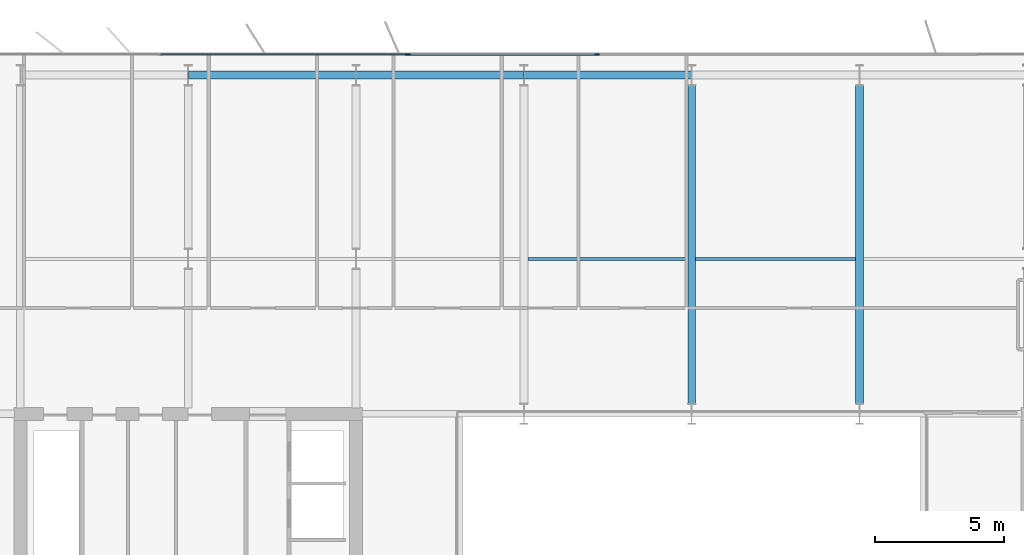
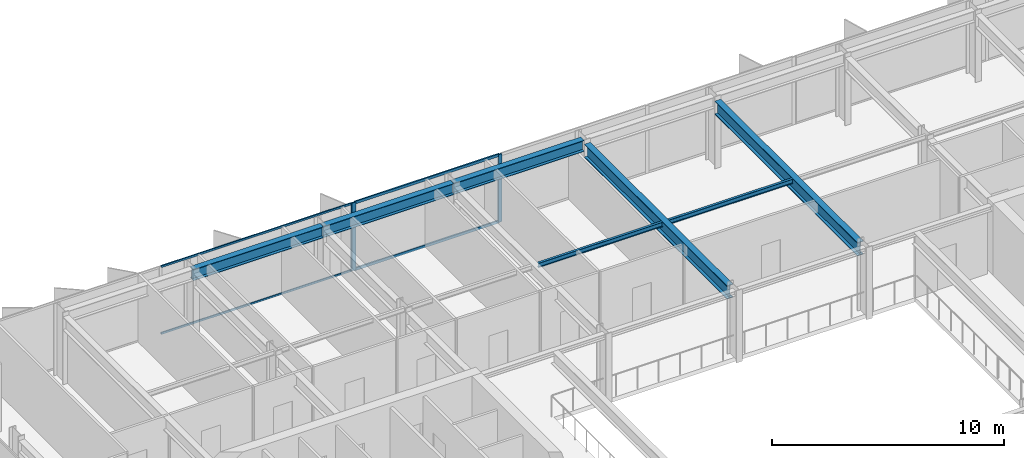
# One storey, part 11 of 24: 7 beams, 7 members, 2 elements without a shape of their own.
"""IFC4 building model written with IfcOpenShell, lengths in metres."""

from ifc_helpers import new_model, si_unit, direction, frame, origin, origin_2d, place, context, subcontext, project, spatial, rectangle, i_section, extrude, material, layer, layer_set, material_profile, profile_set, type_object, element, aggregate, save


model = new_model("IFC4")

# Units and contexts
model_context = context("Model", 3, precision=1e-05, world=origin(), true_north=direction((0.0, 1.0)))
body_context = subcontext(model_context, "Body", "Model", "MODEL_VIEW")
ifc_project = project(units=[si_unit("LENGTHUNIT", "METRE"), si_unit("AREAUNIT", "SQUARE_METRE"), si_unit("VOLUMEUNIT", "CUBIC_METRE"), si_unit("PLANEANGLEUNIT", "RADIAN"), si_unit("MASSUNIT", "GRAM", prefix="KILO")], contexts=[model_context])

# Site, building, storey
site_placement = place(None, origin())
site = spatial("IfcSite", under=ifc_project, at=site_placement, CompositionType="ELEMENT")
building_placement = place(site_placement, origin())
building = spatial("IfcBuilding", under=site, at=building_placement, Name="Putna Gate Headquarters", CompositionType="ELEMENT")
storey_placement = place(building_placement, frame((0.0, 0.0, 248.0)))
storey = spatial("IfcBuildingStorey", under=building, at=storey_placement, Name="L62", CompositionType="ELEMENT", Elevation=248.0)

# Beams
ifc_material_1 = material(Name="Steel S355J2", Category="steel")
ifc_material_profile_1 = material_profile(ifc_material_1, i_section(OverallWidth=0.300048828125, OverallDepth=0.699951171875, WebThickness=0.01708984375, FlangeThickness=0.031982421875, at=origin_2d()), Name="Steel S355J2")
ifc_profile_set_1 = profile_set([ifc_material_profile_1], Name="Steel S355J2")
beam_type_1 = type_object("IfcBeamType", Name="BM-GIRD-B-HEB700", PredefinedType="USERDEFINED", material=ifc_profile_set_1)
for number, where, z_axis, x_axis, name in (
    (1, (39.0, 33.39501953125, 3.22998046875), (0.0, 1.0, 0.0), (-1.0, 0.0, 0.0), "L62 North Primary Girder X39"),
    (2, (45.5, 33.39501953125, 3.22998046875), (0.0, 1.0, 0.0), (-1.0, 0.0, 0.0), "L62 North Primary Girder X45"),
):
    element("IfcBeam", number, at=place(storey_placement, frame(where, z_axis=z_axis, x_axis=x_axis)), inside=storey, type_object=beam_type_1, Name=name, ObjectType="GIRDER", PredefinedType="USERDEFINED", context=body_context, shape_type="SweptSolid", body=[
        extrude(i_section(OverallWidth=0.300048828125, OverallDepth=0.699951171875, WebThickness=0.01708984375, FlangeThickness=0.031982421875, at=origin_2d()), origin(), (0.0, 0.0, 1.0), 12.330078125),
    ])
ifc_material_profile_2 = material_profile(ifc_material_1, i_section(OverallWidth=0.1201171875, OverallDepth=0.239990234375, WebThickness=0.006103515625, FlangeThickness=0.009765625, at=origin_2d()), Name="Steel S355J2")
ifc_profile_set_2 = profile_set([ifc_material_profile_2], Name="Steel S355J2")
beam_type_2 = type_object("IfcBeamType", Name="BM-SEC-Z4-IPE240", PredefinedType="JOIST", material=ifc_profile_set_2)
for number, where, z_axis, x_axis, name in (
    (3, (32.654052734375, 39.0, 3.4599609375), (1.0, 0.0, 0.0), (0.0, 1.0, 0.0), "L62 North Secondary Beam 4"),
    (4, (39.154052734375, 39.0, 3.4599609375), (1.0, 0.0, 0.0), (0.0, 1.0, 0.0), "L62 North Secondary Beam 5"),
):
    element("IfcBeam", number, at=place(storey_placement, frame(where, z_axis=z_axis, x_axis=x_axis)), inside=storey, type_object=beam_type_2, Name=name, PredefinedType="JOIST", context=body_context, shape_type="SweptSolid", body=[
        extrude(i_section(OverallWidth=0.1201171875, OverallDepth=0.239990234375, WebThickness=0.006103515625, FlangeThickness=0.009765625, at=origin_2d()), origin(), (0.0, 0.0, 1.0), 6.19189453125),
    ])
ifc_material_profile_3 = material_profile(ifc_material_1, i_section(OverallWidth=0.300048828125, OverallDepth=0.590087890625, WebThickness=0.012939453125, FlangeThickness=0.02490234375, at=origin_2d()), Name="Steel S355J2")
ifc_profile_set_3 = profile_set([ifc_material_profile_3], Name="Steel S355J2")
beam_type_3 = type_object("IfcBeamType", Name="BM-SPAN-Z4-HEA600", PredefinedType="SPANDREL", material=ifc_profile_set_3)
for number, where, z_axis, x_axis, name in (
    (5, (19.506103515625, 46.1201171875, 3.284912109375), (1.0, 0.0, 0.0), (0.0, 1.0, 0.0), "L62 N Perimeter Spandrel 2"),
    (6, (26.006103515625, 46.1201171875, 3.284912109375), (1.0, 0.0, 0.0), (0.0, 1.0, 0.0), "L62 N Perimeter Spandrel 3"),
    (7, (32.506103515625, 46.1201171875, 3.284912109375), (1.0, 0.0, 0.0), (0.0, 1.0, 0.0), "L62 N Perimeter Spandrel 4"),
):
    element("IfcBeam", number, at=place(storey_placement, frame(where, z_axis=z_axis, x_axis=x_axis)), inside=storey, type_object=beam_type_3, Name=name, PredefinedType="SPANDREL", context=body_context, shape_type="SweptSolid", body=[
        extrude(i_section(OverallWidth=0.300048828125, OverallDepth=0.590087890625, WebThickness=0.012939453125, FlangeThickness=0.02490234375, at=origin_2d()), origin(), (0.0, 0.0, 1.0), 6.48779296875),
    ])

# Curtain wall, member
ifc_material_2 = material(Name="Anodised bronze aluminium curtain wall", Category="aluminium")
ifc_layer_1 = layer(ifc_material_2, 0.139892578125)
ifc_layer_set_1 = layer_set([ifc_layer_1], Name="Anodised bronze aluminium curtain wall")
curtain_wall_type_1 = type_object("IfcCurtainWallType", Name="CW-SYS-Z4", PredefinedType="USERDEFINED", material=ifc_layer_set_1)
curtain_wall_1_placement = place(storey_placement, origin())
curtain_wall_1 = element("IfcCurtainWall", 8, at=curtain_wall_1_placement, inside=storey, type_object=curtain_wall_type_1, Name="L62 North West Curtain Wall", ObjectType="STICK CURTAIN WALL", PredefinedType="USERDEFINED")
ifc_material_3 = material(Name="Anodised bronze aluminium EN AW-6060", Category="aluminium")
ifc_material_profile_4 = material_profile(ifc_material_3, rectangle(XDim=0.06005859375, YDim=0.139892578125, at=origin_2d()), Name="Anodised bronze aluminium EN AW-6060")
ifc_profile_set_4 = profile_set([ifc_material_profile_4], Name="Anodised bronze aluminium EN AW-6060")
member_type_1 = type_object("IfcMemberType", Name="MULL-CWM-4", PredefinedType="MULLION", material=ifc_profile_set_4)
member_1_placement = place(storey_placement, frame((27.969970703125, 46.919921875, 0.0), z_axis=(0.0, 0.0, 1.0), x_axis=(0.0, 1.0, 0.0)))
member_1 = element("IfcMember", 9, at=member_1_placement, type_object=member_type_1, Name="CWS-4 mullion 3", PredefinedType="MULLION", context=body_context, shape_type="SweptSolid", body=[
    extrude(rectangle(XDim=0.06005859375, YDim=0.139892578125, at=origin_2d()), origin(), (0.0, 0.0, 1.0), 3.580078125),
])

# Curtain wall, members
ifc_layer_2 = layer(ifc_material_2, 0.179931640625)
ifc_layer_set_2 = layer_set([ifc_layer_2], Name="Anodised bronze aluminium curtain wall")
curtain_wall_type_2 = type_object("IfcCurtainWallType", Name="CW-SYS-ATR", PredefinedType="USERDEFINED", material=ifc_layer_set_2)
curtain_wall_2_placement = place(storey_placement, origin())
curtain_wall_2 = element("IfcCurtainWall", 10, at=curtain_wall_2_placement, inside=storey, type_object=curtain_wall_type_2, Name="L62 North Atrium Clear Glazing", ObjectType="ATRIUM GLAZING", PredefinedType="USERDEFINED")
ifc_material_profile_5 = material_profile(ifc_material_3, rectangle(XDim=0.070068359375, YDim=0.179931640625, at=origin_2d()), Name="Anodised bronze aluminium EN AW-6060")
ifc_profile_set_5 = profile_set([ifc_material_profile_5], Name="Anodised bronze aluminium EN AW-6060")
member_type_2 = type_object("IfcMemberType", Name="MULL-CWM-AT", PredefinedType="MULLION", material=ifc_profile_set_5)
member_2_placement = place(storey_placement, frame((28.034912109375, 46.919921875, 0.0), z_axis=(0.0, 0.0, 1.0), x_axis=(0.0, 1.0, 0.0)))
member_2 = element("IfcMember", 11, at=member_2_placement, type_object=member_type_2, Name="CWS-AT mullion 1", PredefinedType="MULLION", context=body_context, shape_type="SweptSolid", body=[
    extrude(rectangle(XDim=0.070068359375, YDim=0.179931640625, at=origin_2d()), origin(), (0.0, 0.0, 1.0), 3.580078125),
])
member_3_placement = place(storey_placement, frame((35.333251953125, 46.919921875, 0.0), z_axis=(0.0, 0.0, 1.0), x_axis=(0.0, 1.0, 0.0)))
member_3 = element("IfcMember", 12, at=member_3_placement, type_object=member_type_2, Name="CWS-AT mullion 2", PredefinedType="MULLION", context=body_context, shape_type="SweptSolid", body=[
    extrude(rectangle(XDim=0.070068359375, YDim=0.179931640625, at=origin_2d()), origin(), (0.0, 0.0, 1.0), 3.580078125),
])

# Member
ifc_material_profile_6 = material_profile(ifc_material_3, rectangle(XDim=0.06005859375, YDim=0.10009765625, at=origin_2d()), Name="Anodised bronze aluminium EN AW-6060")
ifc_profile_set_6 = profile_set([ifc_material_profile_6], Name="Anodised bronze aluminium EN AW-6060")
member_type_3 = type_object("IfcMemberType", Name="TRAN-CWT-4", PredefinedType="USERDEFINED", material=ifc_profile_set_6)
member_4_placement = place(storey_placement, frame((18.429931640625, 46.919921875, 0.030029296875), z_axis=(1.0, 0.0, 0.0), x_axis=(0.0, 1.0, 0.0)))
member_4 = element("IfcMember", 13, at=member_4_placement, type_object=member_type_3, Name="CWS-4 transom 2.1", ObjectType="TRANSOM", PredefinedType="USERDEFINED", context=body_context, shape_type="SweptSolid", body=[
    extrude(rectangle(XDim=0.06005859375, YDim=0.10009765625, at=origin_2d()), origin(), (0.0, 0.0, 1.0), 9.510009765625),
])

member_5_placement = place(storey_placement, frame((18.429931640625, 46.919921875, 3.550048828125), z_axis=(1.0, 0.0, 0.0), x_axis=(0.0, 1.0, 0.0)))
member_5 = element("IfcMember", 14, at=member_5_placement, type_object=member_type_3, Name="CWS-4 transom 2.2", ObjectType="TRANSOM", PredefinedType="USERDEFINED", context=body_context, shape_type="SweptSolid", body=[
    extrude(rectangle(XDim=0.06005859375, YDim=0.10009765625, at=origin_2d()), origin(), (0.0, 0.0, 1.0), 9.510009765625),
])

aggregate(curtain_wall_1, [member_1, member_4, member_5])

ifc_material_profile_7 = material_profile(ifc_material_3, rectangle(XDim=0.070068359375, YDim=0.139892578125, at=origin_2d()), Name="Anodised bronze aluminium EN AW-6060")
ifc_profile_set_7 = profile_set([ifc_material_profile_7], Name="Anodised bronze aluminium EN AW-6060")
member_type_4 = type_object("IfcMemberType", Name="TRAN-CWT-AT", PredefinedType="USERDEFINED", material=ifc_profile_set_7)
member_6_placement = place(storey_placement, frame((28.070068359375, 46.919921875, 0.034912109375), z_axis=(1.0, 0.0, 0.0), x_axis=(0.0, 1.0, 0.0)))
member_6 = element("IfcMember", 15, at=member_6_placement, type_object=member_type_4, Name="CWS-AT transom 1.1", ObjectType="TRANSOM", PredefinedType="USERDEFINED", context=body_context, shape_type="SweptSolid", body=[
    extrude(rectangle(XDim=0.070068359375, YDim=0.139892578125, at=origin_2d()), origin(), (0.0, 0.0, 1.0), 7.228271484375),
])

member_7_placement = place(storey_placement, frame((28.070068359375, 46.919921875, 3.544921875), z_axis=(1.0, 0.0, 0.0), x_axis=(0.0, 1.0, 0.0)))
member_7 = element("IfcMember", 16, at=member_7_placement, type_object=member_type_4, Name="CWS-AT transom 1.2", ObjectType="TRANSOM", PredefinedType="USERDEFINED", context=body_context, shape_type="SweptSolid", body=[
    extrude(rectangle(XDim=0.070068359375, YDim=0.139892578125, at=origin_2d()), origin(), (0.0, 0.0, 1.0), 7.228271484375),
])

aggregate(curtain_wall_2, [member_2, member_3, member_6, member_7])

save(model, "model.ifc")
